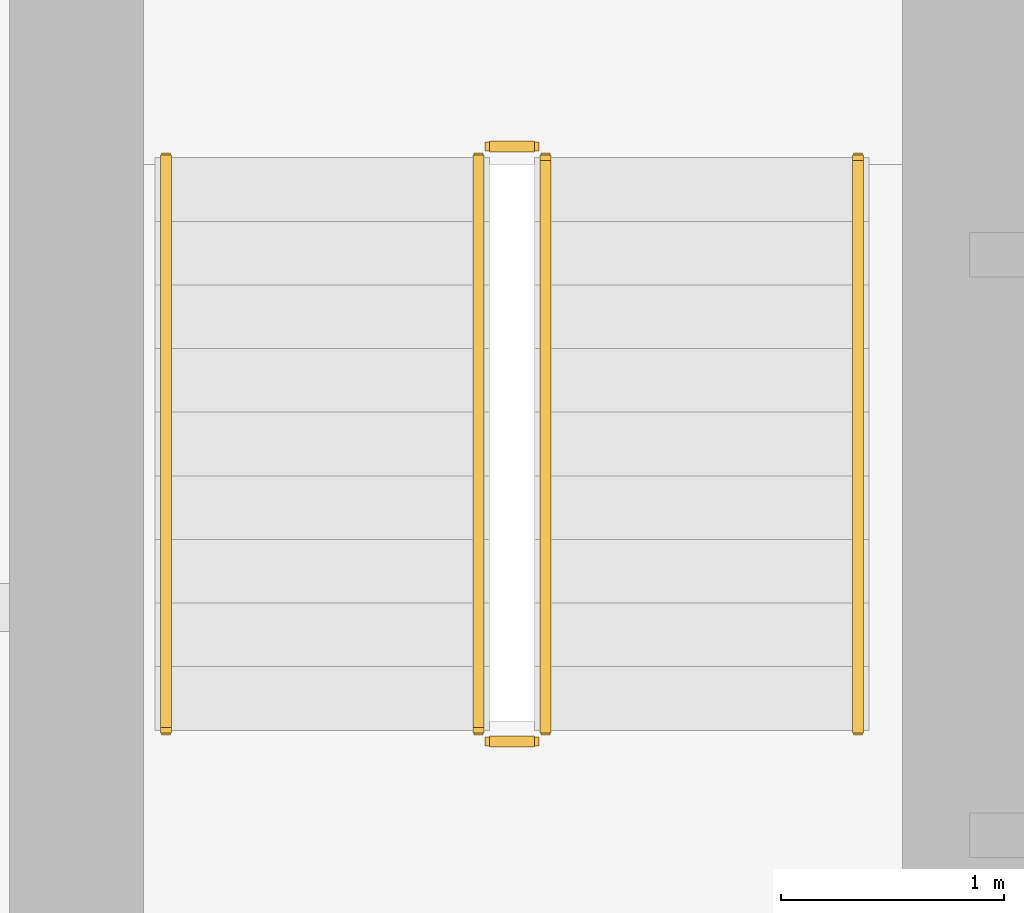
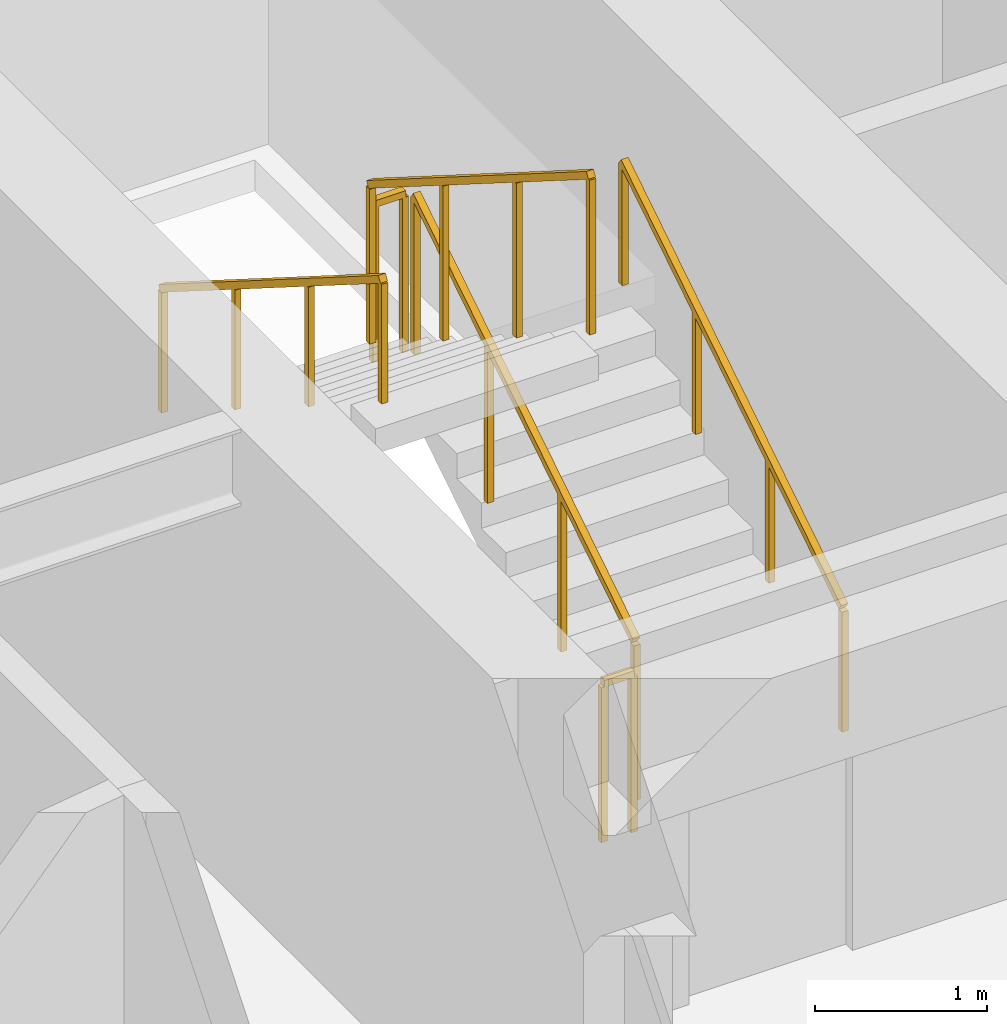
# One storey, part 26 of 28: 6 railings.
"""IFC4 building model written with IfcOpenShell, lengths in metres."""

from ifc_helpers import new_model, si_unit, direction, frame, origin, origin_2d, place, context, subcontext, project, spatial, rectangle, extrude, material, type_object, element, save


model = new_model("IFC4")

# Units and contexts
model_context = context("Model", 3, precision=1e-05, world=origin(), true_north=direction((0.0, 1.0)))
body_context = subcontext(model_context, "Body", "Model", "MODEL_VIEW")
ifc_project = project(units=[si_unit("LENGTHUNIT", "METRE"), si_unit("AREAUNIT", "SQUARE_METRE"), si_unit("VOLUMEUNIT", "CUBIC_METRE"), si_unit("PLANEANGLEUNIT", "RADIAN"), si_unit("MASSUNIT", "GRAM", prefix="KILO")], contexts=[model_context])

# Site, building, storey
site_placement = place(None, origin())
site = spatial("IfcSite", under=ifc_project, at=site_placement, CompositionType="ELEMENT")
building_placement = place(site_placement, origin())
building = spatial("IfcBuilding", under=site, at=building_placement, Name="Sarneth Arch Tower", CompositionType="ELEMENT")
storey_placement = place(building_placement, frame((0.0, 0.0, 67.800048828125)))
storey = spatial("IfcBuildingStorey", under=building, at=storey_placement, Name="L16", CompositionType="ELEMENT", Elevation=67.800048828125)

# Railings
ifc_material_1 = material(Name="Brushed Stainless Steel 304 tubular handrail", Category="steel")
railing_type_1 = type_object("IfcRailingType", Name="RAIL-HANDRAIL-900", PredefinedType="HANDRAIL", material=ifc_material_1)
railing_1_placement = place(storey_placement, frame((40.5, 41.449951171875, 0.179931640625)))
element("IfcRailing", 1, at=railing_1_placement, inside=storey, type_object=railing_type_1, Name="L16 ST-1 stair handrail 1", PredefinedType="HANDRAIL", context=body_context, shape_type="SweptSolid", body=[
    extrude(rectangle(XDim=0.048095703125, YDim=0.048095703125, at=origin_2d()), frame((0.0, 0.0, 0.8759765625), z_axis=(0.0, 0.845465955043, 0.534029323973), x_axis=(-1.0, 0.0, 0.0)), (0.0, 0.0, 1.0), 3.03369140625),
    extrude(rectangle(XDim=0.0419921875, YDim=0.0419921875, at=origin_2d()), origin(), (0.0, 0.0, 1.0), 0.851806640625),
    extrude(rectangle(XDim=0.0419921875, YDim=0.0419921875, at=origin_2d()), frame((0.0, 0.85498046875, 0.5400390625)), (0.0, 0.0, 1.0), 0.851806640625),
    extrude(rectangle(XDim=0.0419921875, YDim=0.0419921875, at=origin_2d()), frame((0.0, 1.7099609375, 1.080078125)), (0.0, 0.0, 1.0), 0.851806640625),
    extrude(rectangle(XDim=0.0419921875, YDim=0.0419921875, at=origin_2d()), frame((0.0, 2.56494140625, 1.6201171875)), (0.0, 0.0, 1.0), 0.851806640625),
])
railing_2_placement = place(storey_placement, frame((37.39990234375, 44.014892578125, 1.97998046875)))
element("IfcRailing", 2, at=railing_2_placement, inside=storey, type_object=railing_type_1, Name="L16 ST-1 stair handrail 2", PredefinedType="HANDRAIL", context=body_context, shape_type="SweptSolid", body=[
    extrude(rectangle(XDim=0.048095703125, YDim=0.048095703125, at=origin_2d()), frame((0.0, 0.0, 0.8759765625), z_axis=(0.0, -0.845502289212, 0.533971796014), x_axis=(1.0, 0.0, 0.0)), (0.0, 0.0, 1.0), 3.03369140625),
    extrude(rectangle(XDim=0.0419921875, YDim=0.0419921875, at=origin_2d()), origin(), (0.0, 0.0, 1.0), 0.851806640625),
    extrude(rectangle(XDim=0.0419921875, YDim=0.0419921875, at=origin_2d()), frame((0.0, -0.85498046875, 0.5400390625)), (0.0, 0.0, 1.0), 0.851806640625),
    extrude(rectangle(XDim=0.0419921875, YDim=0.0419921875, at=origin_2d()), frame((0.0, -1.7099609375, 1.079833984375)), (0.0, 0.0, 1.0), 0.851806640625),
    extrude(rectangle(XDim=0.0419921875, YDim=0.0419921875, at=origin_2d()), frame((0.0, -2.56494140625, 1.619873046875)), (0.0, 0.0, 1.0), 0.851806640625),
])
ifc_material_2 = material(Name="Painted Steel S275 stair well guard", Category="steel")
railing_type_2 = type_object("IfcRailingType", Name="RAIL-STAIR-GUARD", PredefinedType="GUARDRAIL", material=ifc_material_2)
railing_3_placement = place(storey_placement, frame((39.10009765625, 41.449951171875, 0.179931640625)))
element("IfcRailing", 3, at=railing_3_placement, inside=storey, type_object=railing_type_2, Name="L16 ST-1 stair guard 1", PredefinedType="GUARDRAIL", context=body_context, shape_type="SweptSolid", body=[
    extrude(rectangle(XDim=0.048095703125, YDim=0.048095703125, at=origin_2d()), frame((0.0, 0.0, 1.1259765625), z_axis=(0.0, 0.845465955043, 0.534029323973), x_axis=(-1.0, 0.0, 0.0)), (0.0, 0.0, 1.0), 3.03369140625),
    extrude(rectangle(XDim=0.0419921875, YDim=0.0419921875, at=origin_2d()), origin(), (0.0, 0.0, 1.0), 1.101806640625),
    extrude(rectangle(XDim=0.0419921875, YDim=0.0419921875, at=origin_2d()), frame((0.0, 0.85498046875, 0.5400390625)), (0.0, 0.0, 1.0), 1.101806640625),
    extrude(rectangle(XDim=0.0419921875, YDim=0.0419921875, at=origin_2d()), frame((0.0, 1.7099609375, 1.080078125)), (0.0, 0.0, 1.0), 1.101806640625),
    extrude(rectangle(XDim=0.0419921875, YDim=0.0419921875, at=origin_2d()), frame((0.0, 2.56494140625, 1.6201171875)), (0.0, 0.0, 1.0), 1.101806640625),
])
railing_4_placement = place(storey_placement, frame((39.050048828125, 44.06494140625, 1.800048828125)))
element("IfcRailing", 4, at=railing_4_placement, inside=storey, type_object=railing_type_2, Name="L16 ST-1 stair guard 2", PredefinedType="GUARDRAIL", context=body_context, shape_type="SweptSolid", body=[
    extrude(rectangle(XDim=0.048095703125, YDim=0.048095703125, at=origin_2d()), frame((0.0, 0.0, 1.1259765625), z_axis=(-1.0, 0.0, 0.0), x_axis=(0.0, -1.0, 0.0)), (0.0, 0.0, 1.0), 0.199951171875),
    extrude(rectangle(XDim=0.0419921875, YDim=0.0419921875, at=origin_2d()), origin(), (0.0, 0.0, 1.0), 1.101806640625),
    extrude(rectangle(XDim=0.0419921875, YDim=0.0419921875, at=origin_2d()), frame((-0.199951171875, 0.0, 0.0)), (0.0, 0.0, 1.0), 1.101806640625),
])
railing_5_placement = place(storey_placement, frame((38.800048828125, 44.014892578125, 1.97998046875)))
element("IfcRailing", 5, at=railing_5_placement, inside=storey, type_object=railing_type_2, Name="L16 ST-1 stair guard 3", PredefinedType="GUARDRAIL", context=body_context, shape_type="SweptSolid", body=[
    extrude(rectangle(XDim=0.048095703125, YDim=0.048095703125, at=origin_2d()), frame((0.0, 0.0, 1.1259765625), z_axis=(0.0, -0.845502289212, 0.533971796014), x_axis=(1.0, 0.0, 0.0)), (0.0, 0.0, 1.0), 3.03369140625),
    extrude(rectangle(XDim=0.0419921875, YDim=0.0419921875, at=origin_2d()), origin(), (0.0, 0.0, 1.0), 1.101806640625),
    extrude(rectangle(XDim=0.0419921875, YDim=0.0419921875, at=origin_2d()), frame((0.0, -0.85498046875, 0.5400390625)), (0.0, 0.0, 1.0), 1.101806640625),
    extrude(rectangle(XDim=0.0419921875, YDim=0.0419921875, at=origin_2d()), frame((0.0, -1.7099609375, 1.079833984375)), (0.0, 0.0, 1.0), 1.101806640625),
    extrude(rectangle(XDim=0.0419921875, YDim=0.0419921875, at=origin_2d()), frame((0.0, -2.56494140625, 1.619873046875)), (0.0, 0.0, 1.0), 1.101806640625),
])
railing_6_placement = place(storey_placement, frame((39.050048828125, 41.39990234375, 0.0)))
element("IfcRailing", 6, at=railing_6_placement, inside=storey, type_object=railing_type_2, Name="L16 ST-1 stair guard 4", PredefinedType="GUARDRAIL", context=body_context, shape_type="SweptSolid", body=[
    extrude(rectangle(XDim=0.048095703125, YDim=0.048095703125, at=origin_2d()), frame((0.0, 0.0, 1.1259765625), z_axis=(-1.0, 0.0, 0.0), x_axis=(0.0, -1.0, 0.0)), (0.0, 0.0, 1.0), 0.199951171875),
    extrude(rectangle(XDim=0.0419921875, YDim=0.0419921875, at=origin_2d()), origin(), (0.0, 0.0, 1.0), 1.101806640625),
    extrude(rectangle(XDim=0.0419921875, YDim=0.0419921875, at=origin_2d()), frame((-0.199951171875, 0.0, 0.0)), (0.0, 0.0, 1.0), 1.101806640625),
])

save(model, "model.ifc")
